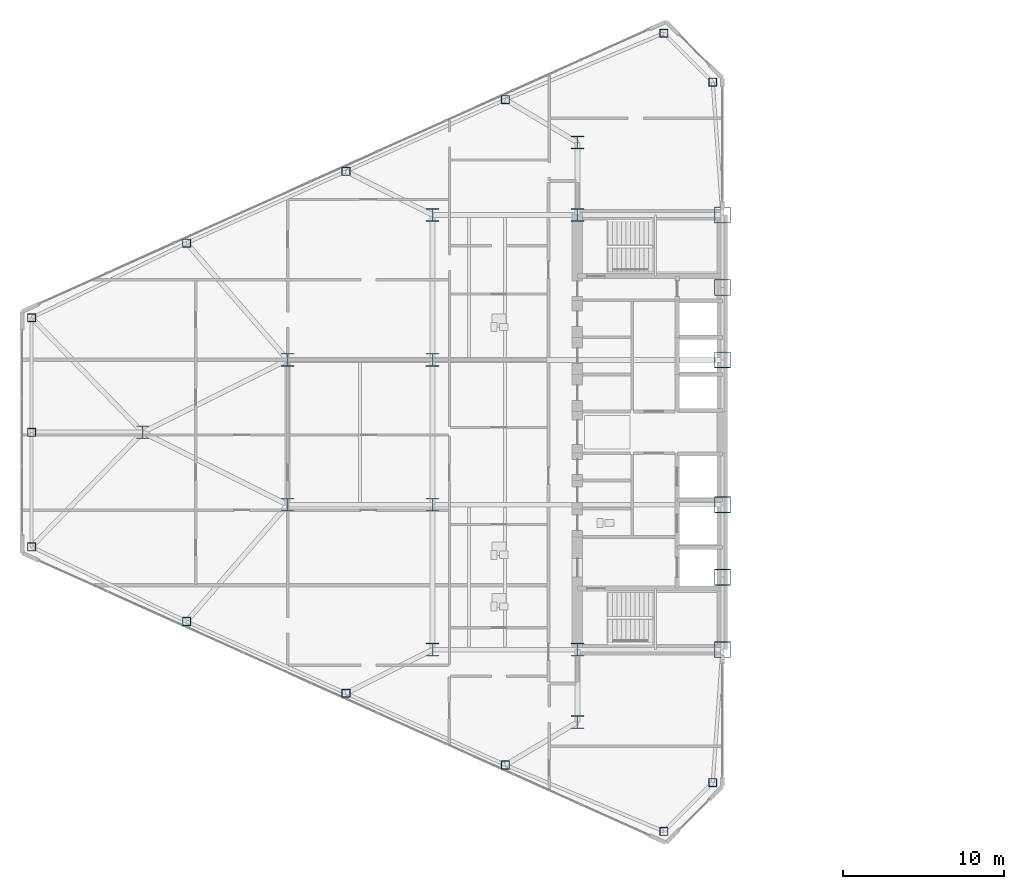
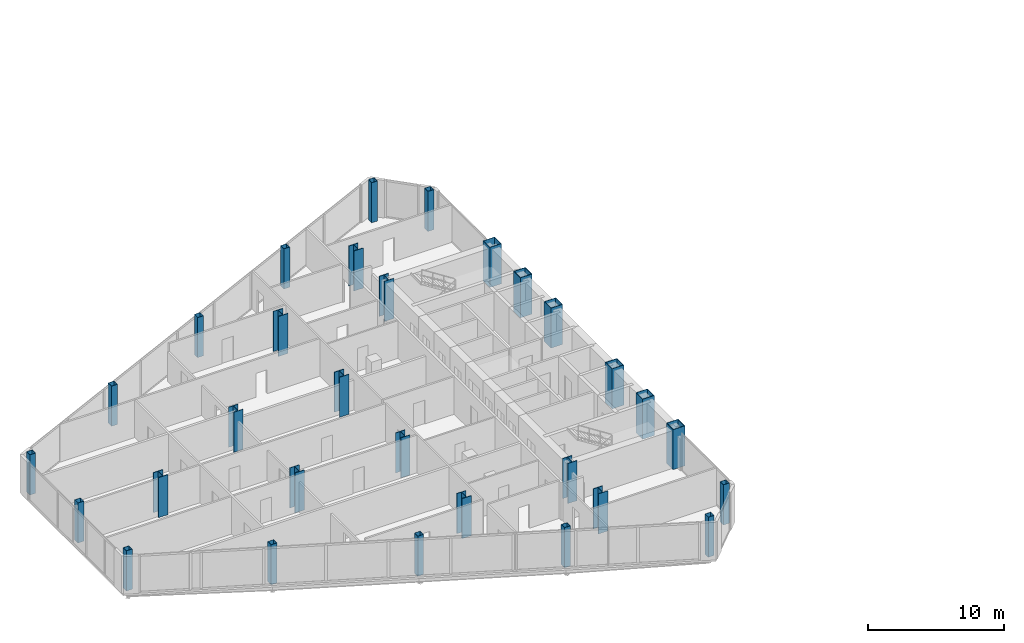
# One storey, part 1 of 27: 30 columns.
"""IFC4 building model written with IfcOpenShell, lengths in metres."""

from ifc_helpers import new_model, si_unit, direction, frame, origin, origin_2d, place, context, subcontext, project, spatial, hollow_rectangle, i_section, extrude, source, transform, mapped, material, material_profile, profile_set, type_object, type_shapes, element, save


model = new_model("IFC4")

# Units and contexts
model_context = context("Model", 3, precision=1e-05, world=origin(), true_north=direction((0.0, 1.0)))
body_context = subcontext(model_context, "Body", "Model", "MODEL_VIEW")
ifc_project = project(units=[si_unit("LENGTHUNIT", "METRE"), si_unit("AREAUNIT", "SQUARE_METRE"), si_unit("VOLUMEUNIT", "CUBIC_METRE"), si_unit("PLANEANGLEUNIT", "RADIAN"), si_unit("MASSUNIT", "GRAM", prefix="KILO")], contexts=[model_context])

# Site, building, storey
site_placement = place(None, origin())
site = spatial("IfcSite", under=ifc_project, at=site_placement, CompositionType="ELEMENT")
building_placement = place(site_placement, origin())
building = spatial("IfcBuilding", under=site, at=building_placement, Name="Seokmaru Belvedere", CompositionType="ELEMENT")
storey_placement = place(building_placement, frame((0.0, 0.0, 76.5)))
storey = spatial("IfcBuildingStorey", under=building, at=storey_placement, Name="L20", CompositionType="ELEMENT", Elevation=76.5)

# Columns
ifc_material_1 = material(Name="Steel SM355 (355 MPa)", Category="steel")
ifc_material_profile_1 = material_profile(ifc_material_1, hollow_rectangle(XDim=0.5, YDim=0.5, WallThickness=0.02001953125, at=origin_2d()), Name="HSS-500x500x20")
ifc_profile_set_1 = profile_set([ifc_material_profile_1], Name="Steel SM355 (355 MPa)")
column_type_1 = type_object("IfcColumnType", Name="Perimeter Facet Column HSS-500", PredefinedType="COLUMN", material=ifc_profile_set_1)
shared_shape_1 = source(origin(), body_context, "Body", "SweptSolid", [
    extrude(hollow_rectangle(XDim=0.5, YDim=0.5, WallThickness=0.02001953125, at=origin_2d()), origin(), (0.0, 0.0, 1.0), 3.60009765625),
])
type_shapes(column_type_1, [shared_shape_1])
for number, where, z_axis, x_axis, name in (
    (1, (-28.10009765625, -21.75146484375, 0.0), (0.0, 0.0, 1.0), (1.0, 0.0, 0.0), "L20 Column WF1"),
    (2, (-28.10009765625, 21.75146484375, 0.0), (0.0, 0.0, 1.0), (1.0, 0.0, 0.0), "L20 Column WF2"),
    (3, (-31.13134765625, 24.782958984375, 0.0), (0.0, 0.0, 1.0), (1.0, 0.0, 0.0), "L20 Column WF3"),
    (4, (-70.39990234375, 7.112060546875, 0.0), (0.0, 0.0, 1.0), (1.0, 0.0, 0.0), "L20 Column WF4"),
    (5, (-70.39990234375, -7.112060546875, 0.0), (0.0, 0.0, 1.0), (1.0, 0.0, 0.0), "L20 Column WF5"),
    (6, (-31.13134765625, -24.782958984375, 0.0), (0.0, 0.0, 1.0), (1.0, 0.0, 0.0), "L20 Column WF6"),
    (7, (-40.97265625, -20.661376953125, 0.0), (0.0, 0.0, 1.0), (1.0, 0.0, 0.0), "L20 Column WFLK_S1"),
    (8, (-50.875, -16.205322265625, 0.0), (0.0, 0.0, 1.0), (1.0, 0.0, 0.0), "L20 Column WFLK_S2"),
    (9, (-60.777587890625, -11.749267578125, 0.0), (0.0, 0.0, 1.0), (1.0, 0.0, 0.0), "L20 Column WFLK_S3"),
    (10, (-40.97265625, 20.661376953125, 0.0), (0.0, 0.0, 1.0), (1.0, 0.0, 0.0), "L20 Column WFLK_N1"),
    (11, (-50.875, 16.205322265625, 0.0), (0.0, 0.0, 1.0), (1.0, 0.0, 0.0), "L20 Column WFLK_N2"),
    (12, (-60.777587890625, 11.749267578125, 0.0), (0.0, 0.0, 1.0), (1.0, 0.0, 0.0), "L20 Column WFLK_N3"),
    (13, (-70.39990234375, 0.0, 0.0), (0.0, 0.0, 1.0), (1.0, 0.0, 0.0), "L20 Column WF_APXM"),
):
    element("IfcColumn", number, at=place(storey_placement, frame(where, z_axis=z_axis, x_axis=x_axis)), inside=storey, type_object=column_type_1, Name=name, PredefinedType="COLUMN", context=body_context, shape_type="MappedRepresentation", body=[
        mapped(shared_shape_1, transform((0.0, 0.0, 0.0), scale=1.0)),
    ])
ifc_material_2 = material(Name="Steel HSA650 (650 MPa)", Category="steel")
ifc_material_profile_2 = material_profile(ifc_material_2, hollow_rectangle(XDim=1.0, YDim=1.0, WallThickness=0.0419921875, at=origin_2d()), Name="BOX-1000x1000x42")
ifc_profile_set_2 = profile_set([ifc_material_profile_2], Name="Steel HSA650 (650 MPa)")
column_type_2 = type_object("IfcColumnType", Name="Portal Spine Column BOX-1000", PredefinedType="COLUMN", material=ifc_profile_set_2)
shared_shape_2 = source(origin(), body_context, "Body", "SweptSolid", [
    extrude(hollow_rectangle(XDim=1.0, YDim=1.0, WallThickness=0.0419921875, at=origin_2d()), origin(), (0.0, 0.0, 1.0), 3.60009765625),
])
type_shapes(column_type_2, [shared_shape_2])
for number, where, z_axis, x_axis, name in (
    (14, (-27.5, -13.5, 0.0), (0.0, 0.0, 1.0), (1.0, 0.0, 0.0), "L20 Column WS1"),
    (15, (-27.5, -9.0, 0.0), (0.0, 0.0, 1.0), (1.0, 0.0, 0.0), "L20 Column WS2"),
    (16, (-27.5, -4.5, 0.0), (0.0, 0.0, 1.0), (1.0, 0.0, 0.0), "L20 Column WS3"),
    (17, (-27.5, 4.5, 0.0), (0.0, 0.0, 1.0), (1.0, 0.0, 0.0), "L20 Column WS4"),
    (18, (-27.5, 9.0, 0.0), (0.0, 0.0, 1.0), (1.0, 0.0, 0.0), "L20 Column WS5"),
    (19, (-27.5, 13.5, 0.0), (0.0, 0.0, 1.0), (1.0, 0.0, 0.0), "L20 Column WS6"),
):
    element("IfcColumn", number, at=place(storey_placement, frame(where, z_axis=z_axis, x_axis=x_axis)), inside=storey, type_object=column_type_2, Name=name, PredefinedType="COLUMN", context=body_context, shape_type="MappedRepresentation", body=[
        mapped(shared_shape_2, transform((0.0, 0.0, 0.0), scale=1.0)),
    ])
ifc_material_profile_3 = material_profile(ifc_material_1, i_section(OverallWidth=0.800048828125, OverallDepth=0.800048828125, WebThickness=0.031982421875, FlangeThickness=0.050048828125, at=origin_2d()), Name="H-800x800x32x50")
ifc_profile_set_3 = profile_set([ifc_material_profile_3], Name="Steel SM355 (355 MPa)")
column_type_3 = type_object("IfcColumnType", Name="Lower-Mid Interior Column H-800", PredefinedType="COLUMN", material=ifc_profile_set_3)
shared_shape_3 = source(origin(), body_context, "Body", "SweptSolid", [
    extrude(i_section(OverallWidth=0.800048828125, OverallDepth=0.800048828125, WebThickness=0.031982421875, FlangeThickness=0.050048828125, at=origin_2d()), origin(), (0.0, 0.0, 1.0), 3.60009765625),
])
type_shapes(column_type_3, [shared_shape_3])
for number, where, z_axis, x_axis, name in (
    (20, (-36.5, -18.0, 0.0), (0.0, 0.0, 1.0), (1.0, 0.0, 0.0), "L20 Column WC1"),
    (21, (-36.5, -13.5, 0.0), (0.0, 0.0, 1.0), (1.0, 0.0, 0.0), "L20 Column WC2"),
    (22, (-36.5, 13.5, 0.0), (0.0, 0.0, 1.0), (1.0, 0.0, 0.0), "L20 Column WC3"),
    (23, (-36.5, 18.0, 0.0), (0.0, 0.0, 1.0), (1.0, 0.0, 0.0), "L20 Column WC4"),
    (24, (-45.5, -13.5, 0.0), (0.0, 0.0, 1.0), (1.0, 0.0, 0.0), "L20 Column WG5_1"),
    (25, (-45.5, -4.5, 0.0), (0.0, 0.0, 1.0), (1.0, 0.0, 0.0), "L20 Column WG5_2"),
    (26, (-45.5, 4.5, 0.0), (0.0, 0.0, 1.0), (1.0, 0.0, 0.0), "L20 Column WG5_3"),
    (27, (-45.5, 13.5, 0.0), (0.0, 0.0, 1.0), (1.0, 0.0, 0.0), "L20 Column WG5_4"),
    (28, (-54.5, -4.5, 0.0), (0.0, 0.0, 1.0), (1.0, 0.0, 0.0), "L20 Column WG4P_1"),
    (29, (-54.5, 4.5, 0.0), (0.0, 0.0, 1.0), (1.0, 0.0, 0.0), "L20 Column WG4P_2"),
    (30, (-63.5, 0.0, 0.0), (0.0, 0.0, 1.0), (1.0, 0.0, 0.0), "L20 Column WG3P_1"),
):
    element("IfcColumn", number, at=place(storey_placement, frame(where, z_axis=z_axis, x_axis=x_axis)), inside=storey, type_object=column_type_3, Name=name, PredefinedType="COLUMN", context=body_context, shape_type="MappedRepresentation", body=[
        mapped(shared_shape_3, transform((0.0, 0.0, 0.0), scale=1.0)),
    ])

save(model, "model.ifc")
